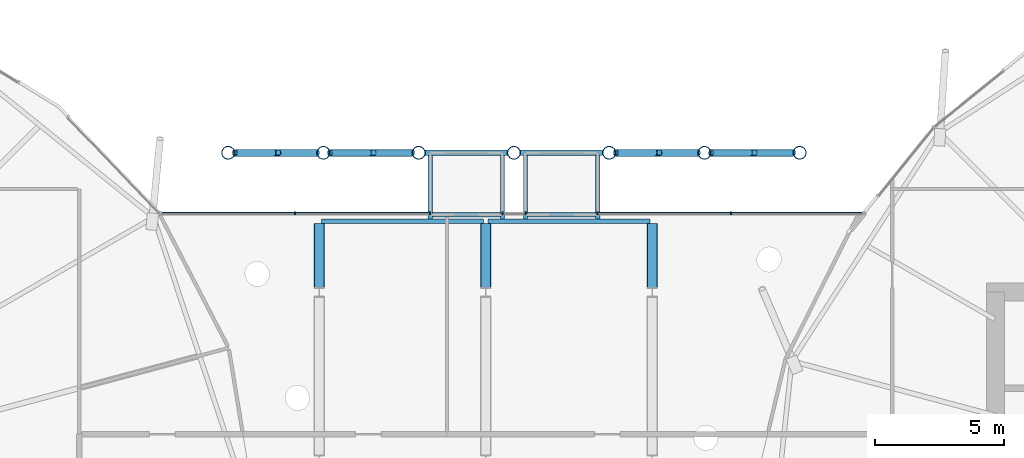
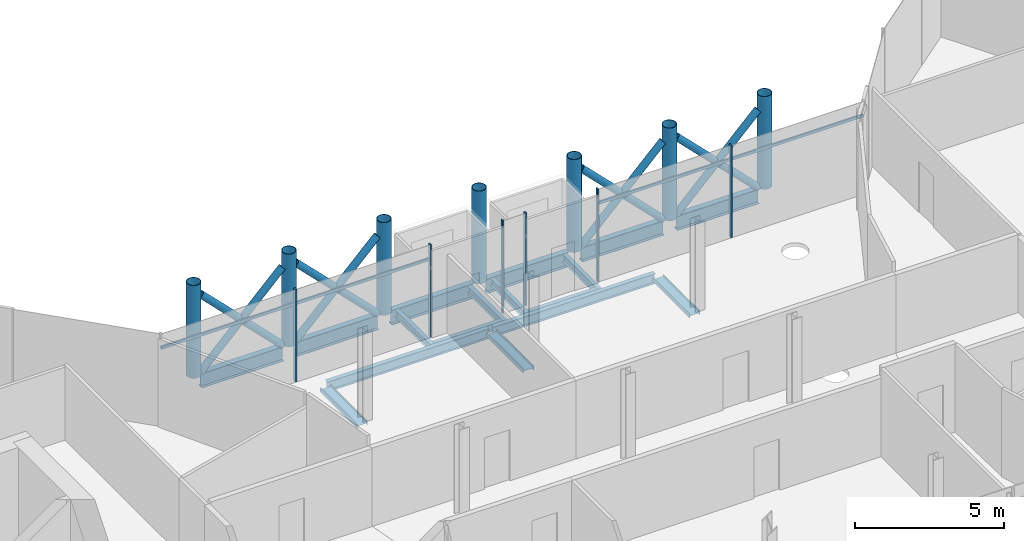
# One storey, part 11 of 39: 29 members, 17 beams, 1 element without a shape of its own.
"""IFC4 building model written with IfcOpenShell, lengths in metres."""

from ifc_helpers import new_model, si_unit, direction, frame, origin, origin_2d, place, context, subcontext, project, spatial, rectangle, hollow_circle, i_section, extrude, material, material_profile, profile_set, type_object, element, aggregate, save


model = new_model("IFC4")

# Units and contexts
model_context = context("Model", 3, precision=1e-05, world=origin(), true_north=direction((0.0, 1.0)))
body_context = subcontext(model_context, "Body", "Model", "MODEL_VIEW")
ifc_project = project(units=[si_unit("LENGTHUNIT", "METRE"), si_unit("AREAUNIT", "SQUARE_METRE"), si_unit("VOLUMEUNIT", "CUBIC_METRE"), si_unit("PLANEANGLEUNIT", "RADIAN"), si_unit("MASSUNIT", "GRAM", prefix="KILO")], contexts=[model_context])

# Site, building, storey
site_placement = place(None, origin())
site = spatial("IfcSite", under=ifc_project, at=site_placement, CompositionType="ELEMENT")
building_placement = place(site_placement, origin())
building = spatial("IfcBuilding", under=site, at=building_placement, Name="Rimbun Link Towers", CompositionType="ELEMENT")
storey_placement = place(building_placement, frame((0.0, 0.0, 139.199951171875)))
storey = spatial("IfcBuildingStorey", under=building, at=storey_placement, Name="L33", CompositionType="ELEMENT", Elevation=139.199951171875)

# Curtain wall, members
ifc_material_1 = material(Name="Aluminium 6063-T6 and low-iron glass", Category="aluminium")
curtain_wall_type = type_object("IfcCurtainWallType", Name="CW4 link block wall", PredefinedType="NOTDEFINED", material=ifc_material_1)
curtain_wall_placement = place(storey_placement, origin())
curtain_wall = element("IfcCurtainWall", 1, at=curtain_wall_placement, inside=storey, type_object=curtain_wall_type, Name="CW4 L33 LB", PredefinedType="NOTDEFINED")
ifc_material_2 = material(Name="Aluminium 6063-T6", Category="aluminium")
ifc_material_profile_1 = material_profile(ifc_material_2, rectangle(XDim=0.1201171875, YDim=0.06005859375, at=origin_2d()), Name="MULLION 60X120")
ifc_profile_set_1 = profile_set([ifc_material_profile_1], Name="Aluminium 6063-T6")
member_type_1 = type_object("IfcMemberType", Name="CW4 mullion 60X120", PredefinedType="MULLION", material=ifc_profile_set_1)
member_1_placement = place(storey_placement, frame((-7.39013671875, 11.06005859375, 0.0), z_axis=(0.0, 0.0, 1.0), x_axis=(0.0, 1.0, 0.0)))
member_1 = element("IfcMember", 2, at=member_1_placement, type_object=member_type_1, Name="CW4 mullion", PredefinedType="MULLION", context=body_context, shape_type="SweptSolid", body=[
    extrude(rectangle(XDim=0.1201171875, YDim=0.06005859375, at=origin_2d()), origin(), (0.0, 0.0, 1.0), 3.800048828125),
])
member_2_placement = place(storey_placement, frame((-2.1533203125, 11.06005859375, 0.0), z_axis=(0.0, 0.0, 1.0), x_axis=(0.0, 1.0, 0.0)))
member_2 = element("IfcMember", 3, at=member_2_placement, type_object=member_type_1, Name="CW4 mullion", PredefinedType="MULLION", context=body_context, shape_type="SweptSolid", body=[
    extrude(rectangle(XDim=0.1201171875, YDim=0.06005859375, at=origin_2d()), origin(), (0.0, 0.0, 1.0), 3.800048828125),
])
member_3_placement = place(storey_placement, frame((0.646728515625, 11.06005859375, 0.0), z_axis=(0.0, 0.0, 1.0), x_axis=(0.0, 1.0, 0.0)))
member_3 = element("IfcMember", 4, at=member_3_placement, type_object=member_type_1, Name="CW4 mullion", PredefinedType="MULLION", context=body_context, shape_type="SweptSolid", body=[
    extrude(rectangle(XDim=0.1201171875, YDim=0.06005859375, at=origin_2d()), origin(), (0.0, 0.0, 1.0), 3.800048828125),
])
member_4_placement = place(storey_placement, frame((1.536865234375, 11.06005859375, 0.0), z_axis=(0.0, 0.0, 1.0), x_axis=(0.0, 1.0, 0.0)))
member_4 = element("IfcMember", 5, at=member_4_placement, type_object=member_type_1, Name="CW4 mullion", PredefinedType="MULLION", context=body_context, shape_type="SweptSolid", body=[
    extrude(rectangle(XDim=0.1201171875, YDim=0.06005859375, at=origin_2d()), origin(), (0.0, 0.0, 1.0), 3.800048828125),
])
member_5_placement = place(storey_placement, frame((4.336669921875, 11.06005859375, 0.0), z_axis=(0.0, 0.0, 1.0), x_axis=(0.0, 1.0, 0.0)))
member_5 = element("IfcMember", 6, at=member_5_placement, type_object=member_type_1, Name="CW4 mullion", PredefinedType="MULLION", context=body_context, shape_type="SweptSolid", body=[
    extrude(rectangle(XDim=0.1201171875, YDim=0.06005859375, at=origin_2d()), origin(), (0.0, 0.0, 1.0), 3.800048828125),
])
member_6_placement = place(storey_placement, frame((9.498779296875, 11.06005859375, 0.0), z_axis=(0.0, 0.0, 1.0), x_axis=(0.0, 1.0, 0.0)))
member_6 = element("IfcMember", 7, at=member_6_placement, type_object=member_type_1, Name="CW4 mullion", PredefinedType="MULLION", context=body_context, shape_type="SweptSolid", body=[
    extrude(rectangle(XDim=0.1201171875, YDim=0.06005859375, at=origin_2d()), origin(), (0.0, 0.0, 1.0), 3.800048828125),
])
ifc_material_3 = material(Name="Aluminium 6063-T6", Category="aluminium")
ifc_material_profile_2 = material_profile(ifc_material_3, rectangle(XDim=0.06005859375, YDim=0.1201171875, at=origin_2d()), Name="TRANSOM 60X120")
ifc_profile_set_2 = profile_set([ifc_material_profile_2], Name="Aluminium 6063-T6")
member_type_2 = type_object("IfcMemberType", Name="CW4 transom 60X120", PredefinedType="USERDEFINED", material=ifc_profile_set_2)
member_7_placement = place(storey_placement, frame((-12.596923828125, 11.05810546875, 3.199951171875), z_axis=(1.0, 0.0, 0.0), x_axis=(0.0, 1.0, 0.0)))
member_7 = element("IfcMember", 8, at=member_7_placement, type_object=member_type_2, Name="CW4 transom", ObjectType="TRANSOM", PredefinedType="USERDEFINED", context=body_context, shape_type="SweptSolid", body=[
    extrude(rectangle(XDim=0.06005859375, YDim=0.1201171875, at=origin_2d()), origin(), (0.0, 0.0, 1.0), 5.1767578125),
])
member_8_placement = place(storey_placement, frame((-7.360107421875, 11.05810546875, 3.199951171875), z_axis=(1.0, 0.0, 0.0), x_axis=(0.0, 1.0, 0.0)))
member_8 = element("IfcMember", 9, at=member_8_placement, type_object=member_type_2, Name="CW4 transom", ObjectType="TRANSOM", PredefinedType="USERDEFINED", context=body_context, shape_type="SweptSolid", body=[
    extrude(rectangle(XDim=0.06005859375, YDim=0.1201171875, at=origin_2d()), origin(), (0.0, 0.0, 1.0), 5.177001953125),
])
member_9_placement = place(storey_placement, frame((4.36669921875, 11.05810546875, 3.199951171875), z_axis=(1.0, 0.0, 0.0), x_axis=(0.0, 1.0, 0.0)))
member_9 = element("IfcMember", 10, at=member_9_placement, type_object=member_type_2, Name="CW4 transom", ObjectType="TRANSOM", PredefinedType="USERDEFINED", context=body_context, shape_type="SweptSolid", body=[
    extrude(rectangle(XDim=0.06005859375, YDim=0.1201171875, at=origin_2d()), origin(), (0.0, 0.0, 1.0), 5.10205078125),
])
member_10_placement = place(storey_placement, frame((9.52880859375, 11.05810546875, 3.199951171875), z_axis=(1.0, 0.0, 0.0), x_axis=(0.0, 1.0, 0.0)))
member_10 = element("IfcMember", 11, at=member_10_placement, type_object=member_type_2, Name="CW4 transom", ObjectType="TRANSOM", PredefinedType="USERDEFINED", context=body_context, shape_type="SweptSolid", body=[
    extrude(rectangle(XDim=0.06005859375, YDim=0.1201171875, at=origin_2d()), origin(), (0.0, 0.0, 1.0), 5.101806640625),
])
aggregate(curtain_wall, [member_1, member_2, member_3, member_4, member_5, member_6, member_7, member_8, member_9, member_10])

# Beams
ifc_material_4 = material(Name="Steel S355J2", Category="steel")
ifc_material_profile_3 = material_profile(ifc_material_4, i_section(OverallWidth=0.1650390625, OverallDepth=0.303466796875, WebThickness=0.006103515625, FlangeThickness=0.01025390625, at=origin_2d()), Name="UB 305x165x40")
ifc_profile_set_3 = profile_set([ifc_material_profile_3], Name="Steel S355J2")
beam_type_1 = type_object("IfcBeamType", Name="Capsule bracket beam UB 305x165x40", PredefinedType="BEAM", material=ifc_profile_set_3)
for number, where, z_axis, x_axis, name in (
    (12, (-2.1533203125, 10.8349609375, -0.37158203125), (0.0, 1.0, 0.0), (-1.0, 0.0, 0.0), "Capsule F33.01 bracket beam 1"),
    (13, (0.646728515625, 10.8349609375, -0.37158203125), (0.0, 1.0, 0.0), (-1.0, 0.0, 0.0), "Capsule F33.01 bracket beam 2"),
):
    element("IfcBeam", number, at=place(storey_placement, frame(where, z_axis=z_axis, x_axis=x_axis)), inside=storey, type_object=beam_type_1, Name=name, PredefinedType="BEAM", context=body_context, shape_type="SweptSolid", body=[
        extrude(i_section(OverallWidth=0.1650390625, OverallDepth=0.303466796875, WebThickness=0.006103515625, FlangeThickness=0.01025390625, at=origin_2d()), origin(), (0.0, 0.0, 1.0), 2.451171875),
    ])
beam_1_placement = place(storey_placement, frame((-2.07080078125, 11.0, -0.37158203125), z_axis=(1.0, 0.0, 0.0), x_axis=(0.0, 1.0, 0.0)))
element("IfcBeam", 14, at=beam_1_placement, inside=storey, type_object=beam_type_1, Name="Capsule F33.01 bracket beam 3", PredefinedType="BEAM", context=body_context, shape_type="SweptSolid", body=[
    extrude(i_section(OverallWidth=0.1650390625, OverallDepth=0.303466796875, WebThickness=0.006103515625, FlangeThickness=0.01025390625, at=origin_2d()), origin(), (0.0, 0.0, 1.0), 2.635009765625),
])
for number, where, z_axis, x_axis, name in (
    (15, (1.536865234375, 10.8349609375, -0.37158203125), (0.0, 1.0, 0.0), (-1.0, 0.0, 0.0), "Capsule F33.02 bracket beam 1"),
    (16, (4.336669921875, 10.8349609375, -0.37158203125), (0.0, 1.0, 0.0), (-1.0, 0.0, 0.0), "Capsule F33.02 bracket beam 2"),
):
    element("IfcBeam", number, at=place(storey_placement, frame(where, z_axis=z_axis, x_axis=x_axis)), inside=storey, type_object=beam_type_1, Name=name, PredefinedType="BEAM", context=body_context, shape_type="SweptSolid", body=[
        extrude(i_section(OverallWidth=0.1650390625, OverallDepth=0.303466796875, WebThickness=0.006103515625, FlangeThickness=0.01025390625, at=origin_2d()), origin(), (0.0, 0.0, 1.0), 2.451171875),
    ])
beam_2_placement = place(storey_placement, frame((1.619140625, 11.0, -0.37158203125), z_axis=(1.0, 0.0, 0.0), x_axis=(0.0, 1.0, 0.0)))
element("IfcBeam", 17, at=beam_2_placement, inside=storey, type_object=beam_type_1, Name="Capsule F33.02 bracket beam 3", PredefinedType="BEAM", context=body_context, shape_type="SweptSolid", body=[
    extrude(i_section(OverallWidth=0.1650390625, OverallDepth=0.303466796875, WebThickness=0.006103515625, FlangeThickness=0.01025390625, at=origin_2d()), origin(), (0.0, 0.0, 1.0), 2.635009765625),
])
ifc_material_5 = material(Name="Steel S355J2", Category="steel")
ifc_material_profile_4 = material_profile(ifc_material_5, i_section(OverallWidth=0.177978515625, OverallDepth=0.406494140625, WebThickness=0.0078125, FlangeThickness=0.0126953125, at=origin_2d()), Name="UKB 406x178x60")
ifc_profile_set_4 = profile_set([ifc_material_profile_4], Name="Steel S355J2")
beam_type_2 = type_object("IfcBeamType", Name="Link floor beam UKB 406x178x60", PredefinedType="BEAM", material=ifc_profile_set_4)
for number, where, z_axis, x_axis, name in (
    (18, (-6.449951171875, 8.1875, -0.363037109375), (0.0, 1.0, 0.0), (0.0, 0.0, 1.0), "Link floor beam L33 03"),
    (19, (0.0, 8.1875, -0.363037109375), (0.0, 1.0, 0.0), (0.0, 0.0, 1.0), "Link floor beam L33 07"),
    (20, (6.449951171875, 8.1875, -0.363037109375), (0.0, 1.0, 0.0), (0.0, 0.0, 1.0), "Link floor beam L33 11"),
):
    element("IfcBeam", number, at=place(storey_placement, frame(where, z_axis=z_axis, x_axis=x_axis)), inside=storey, type_object=beam_type_2, Name=name, PredefinedType="BEAM", context=body_context, shape_type="SweptSolid", body=[
        extrude(i_section(OverallWidth=0.177978515625, OverallDepth=0.406494140625, WebThickness=0.0078125, FlangeThickness=0.0126953125, at=origin_2d()), origin(), (0.0, 0.0, 1.0), 2.473388671875),
    ])
for number, where, z_axis, x_axis, name in (
    (21, (-6.361083984375, 10.75, -0.363037109375), (1.0, 0.0, 0.0), (0.0, 1.0, 0.0), "Link edge beam L33 14"),
    (22, (0.089111328125, 10.75, -0.363037109375), (1.0, 0.0, 0.0), (0.0, 1.0, 0.0), "Link edge beam L33 15"),
):
    element("IfcBeam", number, at=place(storey_placement, frame(where, z_axis=z_axis, x_axis=x_axis)), inside=storey, type_object=beam_type_2, Name=name, PredefinedType="BEAM", context=body_context, shape_type="SweptSolid", body=[
        extrude(i_section(OverallWidth=0.177978515625, OverallDepth=0.406494140625, WebThickness=0.0078125, FlangeThickness=0.0126953125, at=origin_2d()), origin(), (0.0, 0.0, 1.0), 6.27197265625),
    ])

# Members
ifc_material_6 = material(Name="Steel S355J2H", Category="steel")
ifc_material_profile_5 = material_profile(ifc_material_6, hollow_circle(Radius=0.136474609375, WallThickness=0.012451171875, at=origin_2d()), Name="CHS 273x12.5")
ifc_profile_set_5 = profile_set([ifc_material_profile_5], Name="Steel S355J2H")
member_type_3 = type_object("IfcMemberType", Name="Link megaframe brace CHS 273x12.5", PredefinedType="BRACE", material=ifc_profile_set_5)
member_11_placement = place(storey_placement, frame((-9.72412109375, 13.39990234375, -0.219970703125), z_axis=(0.70539994646, 0.0, 0.708809505815), x_axis=(0.0, 1.0, 0.0)))
element("IfcMember", 23, at=member_11_placement, inside=storey, type_object=member_type_3, Name="Link megaframe brace N0-1 bay 2.1", PredefinedType="BRACE", context=body_context, shape_type="SweptSolid", body=[
    extrude(hollow_circle(Radius=0.136474609375, WallThickness=0.012451171875, at=origin_2d()), origin(), (0.0, 0.0, 1.0), 4.510986328125),
])
member_12_placement = place(storey_placement, frame((-6.5419921875, 13.39990234375, -0.219970703125), z_axis=(-0.70537354252, 0.0, 0.708835781767), x_axis=(0.0, -1.0, 0.0)))
element("IfcMember", 24, at=member_12_placement, inside=storey, type_object=member_type_3, Name="Link megaframe brace N0-1 bay 2.2a", PredefinedType="BRACE", context=body_context, shape_type="SweptSolid", body=[
    extrude(hollow_circle(Radius=0.136474609375, WallThickness=0.012451171875, at=origin_2d()), origin(), (0.0, 0.0, 1.0), 2.115478515625),
])
member_13_placement = place(storey_placement, frame((-8.231689453125, 13.39990234375, 1.47802734375), z_axis=(-0.705431521965, 0.0, 0.708778080797), x_axis=(0.0, -1.0, 0.0)))
element("IfcMember", 25, at=member_13_placement, inside=storey, type_object=member_type_3, Name="Link megaframe brace N0-1 bay 2.2b", PredefinedType="BRACE", context=body_context, shape_type="SweptSolid", body=[
    extrude(hollow_circle(Radius=0.136474609375, WallThickness=0.012451171875, at=origin_2d()), origin(), (0.0, 0.0, 1.0), 2.11572265625),
])
member_14_placement = place(storey_placement, frame((-6.0341796875, 13.39990234375, -0.219970703125), z_axis=(0.70537275443, 0.0, 0.708836566007), x_axis=(0.0, 1.0, 0.0)))
element("IfcMember", 26, at=member_14_placement, inside=storey, type_object=member_type_3, Name="Link megaframe brace N1-2 bay 2.1", PredefinedType="BRACE", context=body_context, shape_type="SweptSolid", body=[
    extrude(hollow_circle(Radius=0.136474609375, WallThickness=0.012451171875, at=origin_2d()), origin(), (0.0, 0.0, 1.0), 4.510986328125),
])
for number, where, z_axis, x_axis, name in (
    (27, (-2.852294921875, 13.39990234375, -0.219970703125), (-0.70537354252, 0.0, 0.708835781767), (0.0, -1.0, 0.0), "Link megaframe brace N1-2 bay 2.2a"),
    (28, (-4.5419921875, 13.39990234375, 1.47802734375), (-0.70537354252, 0.0, 0.708835781767), (0.0, -1.0, 0.0), "Link megaframe brace N1-2 bay 2.2b"),
):
    element("IfcMember", number, at=place(storey_placement, frame(where, z_axis=z_axis, x_axis=x_axis)), inside=storey, type_object=member_type_3, Name=name, PredefinedType="BRACE", context=body_context, shape_type="SweptSolid", body=[
        extrude(hollow_circle(Radius=0.136474609375, WallThickness=0.012451171875, at=origin_2d()), origin(), (0.0, 0.0, 1.0), 2.115478515625),
    ])
member_15_placement = place(storey_placement, frame((5.03564453125, 13.39990234375, -0.219970703125), z_axis=(0.70537275443, 0.0, 0.708836566007), x_axis=(0.0, 1.0, 0.0)))
element("IfcMember", 29, at=member_15_placement, inside=storey, type_object=member_type_3, Name="Link megaframe brace N4-5 bay 2.1", PredefinedType="BRACE", context=body_context, shape_type="SweptSolid", body=[
    extrude(hollow_circle(Radius=0.136474609375, WallThickness=0.012451171875, at=origin_2d()), origin(), (0.0, 0.0, 1.0), 4.510986328125),
])
for number, where, z_axis, x_axis, name in (
    (30, (8.217529296875, 13.39990234375, -0.219970703125), (-0.70537354252, 0.0, 0.708835781767), (0.0, -1.0, 0.0), "Link megaframe brace N4-5 bay 2.2a"),
    (31, (6.52783203125, 13.39990234375, 1.47802734375), (-0.70537354252, 0.0, 0.708835781767), (0.0, -1.0, 0.0), "Link megaframe brace N4-5 bay 2.2b"),
):
    element("IfcMember", number, at=place(storey_placement, frame(where, z_axis=z_axis, x_axis=x_axis)), inside=storey, type_object=member_type_3, Name=name, PredefinedType="BRACE", context=body_context, shape_type="SweptSolid", body=[
        extrude(hollow_circle(Radius=0.136474609375, WallThickness=0.012451171875, at=origin_2d()), origin(), (0.0, 0.0, 1.0), 2.115478515625),
    ])
member_16_placement = place(storey_placement, frame((8.7255859375, 13.39990234375, -0.219970703125), z_axis=(0.70537275443, 0.0, 0.708836566007), x_axis=(0.0, 1.0, 0.0)))
element("IfcMember", 32, at=member_16_placement, inside=storey, type_object=member_type_3, Name="Link megaframe brace N5-6 bay 2.1", PredefinedType="BRACE", context=body_context, shape_type="SweptSolid", body=[
    extrude(hollow_circle(Radius=0.136474609375, WallThickness=0.012451171875, at=origin_2d()), origin(), (0.0, 0.0, 1.0), 4.510986328125),
])
for number, where, z_axis, x_axis, name in (
    (33, (11.907470703125, 13.39990234375, -0.219970703125), (-0.70537354252, 0.0, 0.708835781767), (0.0, -1.0, 0.0), "Link megaframe brace N5-6 bay 2.2a"),
    (34, (10.2177734375, 13.39990234375, 1.47802734375), (-0.70537354252, 0.0, 0.708835781767), (0.0, -1.0, 0.0), "Link megaframe brace N5-6 bay 2.2b"),
):
    element("IfcMember", number, at=place(storey_placement, frame(where, z_axis=z_axis, x_axis=x_axis)), inside=storey, type_object=member_type_3, Name=name, PredefinedType="BRACE", context=body_context, shape_type="SweptSolid", body=[
        extrude(hollow_circle(Radius=0.136474609375, WallThickness=0.012451171875, at=origin_2d()), origin(), (0.0, 0.0, 1.0), 2.115478515625),
    ])
ifc_material_7 = material(Name="Steel S355J2H", Category="steel")
ifc_material_profile_6 = material_profile(ifc_material_7, hollow_circle(Radius=0.25390625, WallThickness=0.02001953125, at=origin_2d()), Name="CHS 508x20")
ifc_profile_set_6 = profile_set([ifc_material_profile_6], Name="Steel S355J2H")
member_type_4 = type_object("IfcMemberType", Name="Link megaframe post CHS 508x20", PredefinedType="POST", material=ifc_profile_set_6)
for number, where, z_axis, x_axis, name in (
    (35, (-9.97802734375, 13.39990234375, -0.219970703125), (0.0, 0.0, 1.0), (1.0, 0.0, 0.0), "Link megaframe post N0 bay 2"),
    (36, (-6.2880859375, 13.39990234375, -0.219970703125), (0.0, 0.0, 1.0), (1.0, 0.0, 0.0), "Link megaframe post N1 bay 2"),
    (37, (-2.59814453125, 13.39990234375, -0.219970703125), (0.0, 0.0, 1.0), (1.0, 0.0, 0.0), "Link megaframe post N2 bay 2"),
    (38, (1.091796875, 13.39990234375, -0.219970703125), (0.0, 0.0, 1.0), (1.0, 0.0, 0.0), "Link megaframe post N3 bay 2"),
    (39, (4.78173828125, 13.39990234375, -0.219970703125), (0.0, 0.0, 1.0), (1.0, 0.0, 0.0), "Link megaframe post N4 bay 2"),
    (40, (8.4716796875, 13.39990234375, -0.219970703125), (0.0, 0.0, 1.0), (1.0, 0.0, 0.0), "Link megaframe post N5 bay 2"),
    (41, (12.16162109375, 13.39990234375, -0.219970703125), (0.0, 0.0, 1.0), (1.0, 0.0, 0.0), "Link megaframe post N6 bay 2"),
):
    element("IfcMember", number, at=place(storey_placement, frame(where, z_axis=z_axis, x_axis=x_axis)), inside=storey, type_object=member_type_4, Name=name, PredefinedType="POST", context=body_context, shape_type="SweptSolid", body=[
        extrude(hollow_circle(Radius=0.25390625, WallThickness=0.02001953125, at=origin_2d()), origin(), (0.0, 0.0, 1.0), 3.800048828125),
    ])

# Beams
ifc_material_8 = material(Name="Steel S355J2", Category="steel")
ifc_material_profile_7 = material_profile(ifc_material_8, i_section(OverallWidth=0.2275390625, OverallDepth=0.6025390625, WebThickness=0.010498046875, FlangeThickness=0.014892578125, at=origin_2d()), Name="UB 610x229x101")
ifc_profile_set_7 = profile_set([ifc_material_profile_7], Name="Steel S355J2")
beam_type_3 = type_object("IfcBeamType", Name="Link megaframe ring beam UB 610x229x101", PredefinedType="BEAM", material=ifc_profile_set_7)
beam_3_placement = place(storey_placement, frame((-9.72412109375, 13.39990234375, -0.521240234375), z_axis=(1.0, 0.0, 0.0), x_axis=(0.0, 1.0, 0.0)))
element("IfcBeam", 42, at=beam_3_placement, inside=storey, type_object=beam_type_3, Name="Link megaframe ring beam N0-1 L33", PredefinedType="BEAM", context=body_context, shape_type="SweptSolid", body=[
    extrude(i_section(OverallWidth=0.2275390625, OverallDepth=0.6025390625, WebThickness=0.010498046875, FlangeThickness=0.014892578125, at=origin_2d()), origin(), (0.0, 0.0, 1.0), 3.18212890625),
])
beam_4_placement = place(storey_placement, frame((-6.0341796875, 13.39990234375, -0.521240234375), z_axis=(1.0, 0.0, 0.0), x_axis=(0.0, 1.0, 0.0)))
element("IfcBeam", 43, at=beam_4_placement, inside=storey, type_object=beam_type_3, Name="Link megaframe ring beam N1-2 L33", PredefinedType="BEAM", context=body_context, shape_type="SweptSolid", body=[
    extrude(i_section(OverallWidth=0.2275390625, OverallDepth=0.6025390625, WebThickness=0.010498046875, FlangeThickness=0.014892578125, at=origin_2d()), origin(), (0.0, 0.0, 1.0), 3.181884765625),
])
beam_5_placement = place(storey_placement, frame((-2.34423828125, 13.39990234375, -0.521240234375), z_axis=(1.0, 0.0, 0.0), x_axis=(0.0, 1.0, 0.0)))
element("IfcBeam", 44, at=beam_5_placement, inside=storey, type_object=beam_type_3, Name="Link megaframe ring beam N2-3 L33", PredefinedType="BEAM", context=body_context, shape_type="SweptSolid", body=[
    extrude(i_section(OverallWidth=0.2275390625, OverallDepth=0.6025390625, WebThickness=0.010498046875, FlangeThickness=0.014892578125, at=origin_2d()), origin(), (0.0, 0.0, 1.0), 3.18212890625),
])
for number, where, z_axis, x_axis, name in (
    (45, (1.345703125, 13.39990234375, -0.521240234375), (1.0, 0.0, 0.0), (0.0, 1.0, 0.0), "Link megaframe ring beam N3-4 L33"),
    (46, (5.03564453125, 13.39990234375, -0.521240234375), (1.0, 0.0, 0.0), (0.0, 1.0, 0.0), "Link megaframe ring beam N4-5 L33"),
    (47, (8.7255859375, 13.39990234375, -0.521240234375), (1.0, 0.0, 0.0), (0.0, 1.0, 0.0), "Link megaframe ring beam N5-6 L33"),
):
    element("IfcBeam", number, at=place(storey_placement, frame(where, z_axis=z_axis, x_axis=x_axis)), inside=storey, type_object=beam_type_3, Name=name, PredefinedType="BEAM", context=body_context, shape_type="SweptSolid", body=[
        extrude(i_section(OverallWidth=0.2275390625, OverallDepth=0.6025390625, WebThickness=0.010498046875, FlangeThickness=0.014892578125, at=origin_2d()), origin(), (0.0, 0.0, 1.0), 3.181884765625),
    ])

save(model, "model.ifc")
